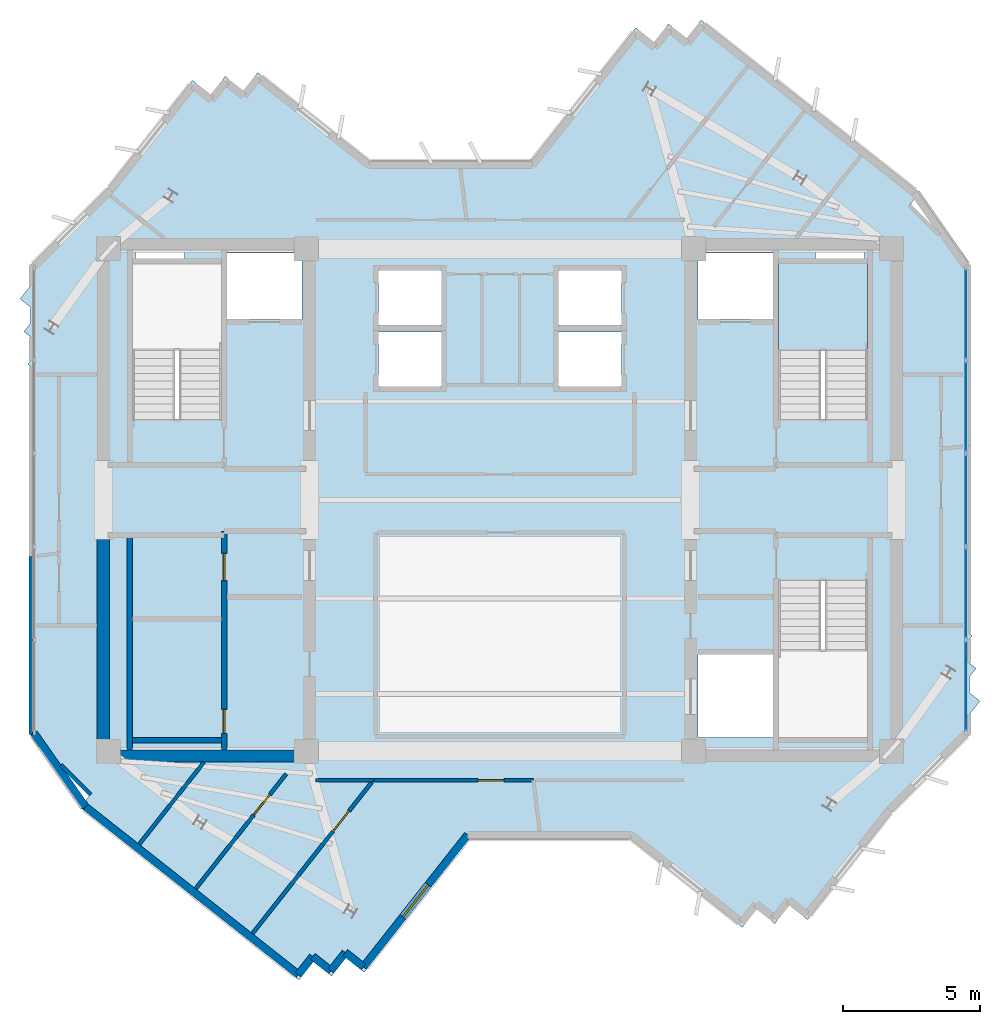
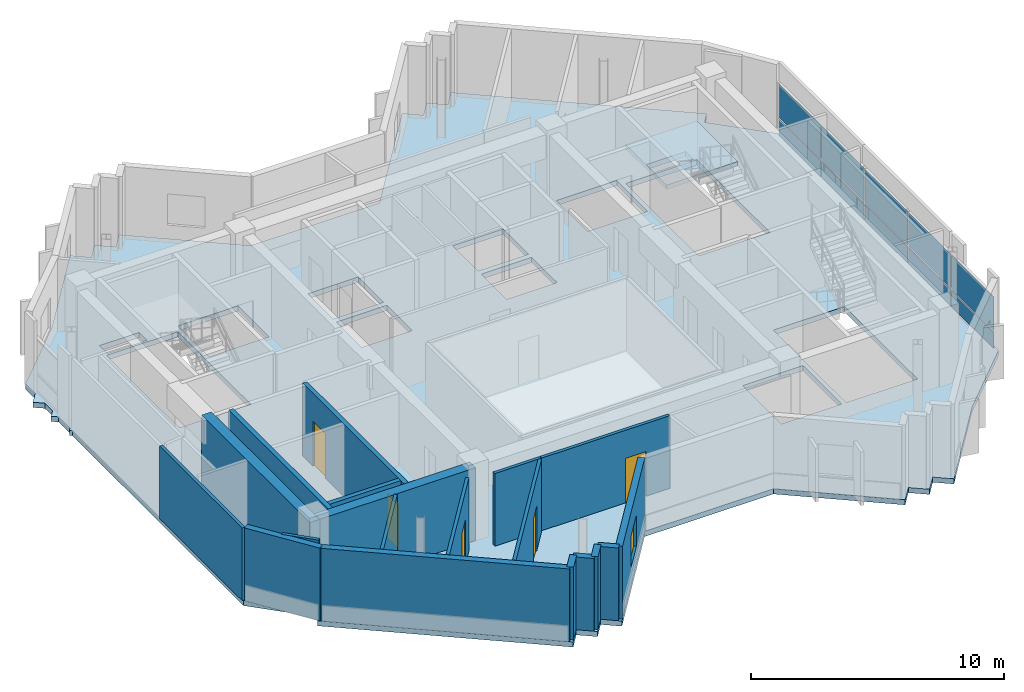
# One storey, part 4 of 10: 19 walls, 10 plates, 5 doors, 2 slabs, 1 window, 6 openings, 2 elements without a shape of their own.
"""IFC4 building model written with IfcOpenShell, lengths in metres."""

import ifcopenshell
import ifcopenshell.guid

model = None  # the IFC model being written
_history = None  # IfcOwnerHistory: only IFC2X3 demands one
_inside = {}  # id of a spatial element -> (the spatial element, [elements in it])
_under = {}  # id of a project, library or spatial element -> (it, [spatial elements below it])
_declared = {}  # id of a project -> (the project, [libraries it declares])
_typed = {}  # id of a type object -> (the type object, [elements of that type])
_made_of = {}  # id of a material, layer set ... -> (it, [elements and type objects made of it])


def new_model(schema):
    """Start an empty IFC model of exactly this schema.

    Asked for "IFC4X3", IfcOpenShell would pick the latest addendum, in which some entities
    have other attributes; the version numbers below select the first issue.
    IFC2X3 requires an IfcOwnerHistory on every rooted entity: one is made here for all.
    """
    global model, _history
    if schema == "IFC4X3":
        model = ifcopenshell.file(schema_version=(4, 3, 0, 0))
    else:
        model = ifcopenshell.file(schema=schema)
    _inside.clear()
    _under.clear()
    _declared.clear()
    _typed.clear()
    _made_of.clear()
    _history = None
    if model.schema == "IFC2X3":
        org = make("IfcOrganization", Name="unknown")
        user = make(
            "IfcPersonAndOrganization",
            ThePerson=make("IfcPerson", FamilyName="unknown"),
            TheOrganization=org,
        )
        app = make(
            "IfcApplication",
            ApplicationDeveloper=org,
            Version="unknown",
            ApplicationFullName="unknown",
            ApplicationIdentifier="unknown",
        )
        _history = make(
            "IfcOwnerHistory",
            OwningUser=user,
            OwningApplication=app,
            ChangeAction="ADDED",
            CreationDate=0,
        )
    return model


def make(cls, **values):
    """One entity of the class cls with the attributes given. An attribute that is None is left unset."""
    return model.create_entity(
        cls, **{name: value for name, value in values.items() if value is not None}
    )


def rooted(cls, **values):
    """An entity with a GlobalId (a new one), such as an element, a storey or a relation."""
    return make(cls, GlobalId=ifcopenshell.guid.new(), OwnerHistory=_history, **values)


def si_unit(unit_type, name, prefix=None):
    """IfcSIUnit, for example si_unit("LENGTHUNIT", "METRE", prefix="MILLI")."""
    return make("IfcSIUnit", UnitType=unit_type, Prefix=prefix, Name=name)


def assignment(units):
    """IfcUnitAssignment: the units of a project."""
    return None if units is None else make("IfcUnitAssignment", Units=units)


def point(xyz):
    """IfcCartesianPoint."""
    return None if xyz is None else make("IfcCartesianPoint", Coordinates=xyz)


def direction(xyz):
    """IfcDirection."""
    return None if xyz is None else make("IfcDirection", DirectionRatios=xyz)


def frame(location, z_axis=None, x_axis=None):
    """IfcAxis2Placement3D, a coordinate frame: its origin and axes. An axis left out is left unset."""
    return make(
        "IfcAxis2Placement3D",
        Location=point(location),
        Axis=direction(z_axis),
        RefDirection=direction(x_axis),
    )


def frame_2d(location, x_axis=None):
    """IfcAxis2Placement2D, a coordinate frame in the plane: its origin and x axis."""
    return make(
        "IfcAxis2Placement2D", Location=point(location), RefDirection=direction(x_axis)
    )


def origin():
    """The frame at (0, 0, 0) with its axes left unset."""
    return frame((0.0, 0.0, 0.0))


def origin_2d():
    """The frame at (0, 0) in the plane with its x axis left unset."""
    return frame_2d((0.0, 0.0))


def place(relative_to, where):
    """IfcLocalPlacement: puts the frame where relative to a parent placement (None: the world)."""
    return make(
        "IfcLocalPlacement", PlacementRelTo=relative_to, RelativePlacement=where
    )


def context(
    kind, dimensions, precision=None, world=None, true_north=None, identifier=None
):
    """IfcGeometricRepresentationContext, for example the 3D "Model" context."""
    return make(
        "IfcGeometricRepresentationContext",
        ContextIdentifier=identifier,
        ContextType=kind,
        CoordinateSpaceDimension=dimensions,
        Precision=precision,
        WorldCoordinateSystem=world,
        TrueNorth=true_north,
    )


def subcontext(parent, identifier, kind, view, scale=None):
    """IfcGeometricRepresentationSubContext, for example "Body" below "Model"."""
    return make(
        "IfcGeometricRepresentationSubContext",
        ContextIdentifier=identifier,
        ContextType=kind,
        ParentContext=parent,
        TargetScale=scale,
        TargetView=view,
    )


def project(units=None, contexts=None):
    """IfcProject with its units and contexts."""
    return rooted(
        "IfcProject",
        Name="project",
        RepresentationContexts=contexts,
        UnitsInContext=assignment(units),
    )


def spatial(cls, under=None, at=None, **own):
    """A site, building, storey or space (cls), placed at a placement, below another one or the project."""
    s = rooted(cls, ObjectPlacement=at, **own)
    if under is not None:
        _under.setdefault(under.id(), (under, []))[1].append(s)
    return s


def polyline(points):
    """IfcPolyline through the points."""
    return make("IfcPolyline", Points=[point(p) for p in points])


def profile(cls, at=None, kind="AREA", **sizes):
    """A parametric profile (cls). Its sizes go by their IFC names, for example OverallWidth=200.0."""
    return make(cls, ProfileType=kind, Position=at, **sizes)


def rectangle(**sizes):
    """IfcRectangleProfileDef."""
    return profile("IfcRectangleProfileDef", **sizes)


def outline(outer, holes=None, kind="AREA"):
    """IfcArbitraryClosedProfileDef: a profile drawn as a closed curve; with holes, ...WithVoids."""
    if holes is None:
        return make("IfcArbitraryClosedProfileDef", ProfileType=kind, OuterCurve=outer)
    return make(
        "IfcArbitraryProfileDefWithVoids",
        ProfileType=kind,
        OuterCurve=outer,
        InnerCurves=holes,
    )


def extrude(swept, where, along, depth):
    """IfcExtrudedAreaSolid: the profile swept, set in the frame where, extruded along a direction by depth."""
    return make(
        "IfcExtrudedAreaSolid",
        SweptArea=swept,
        Position=where,
        ExtrudedDirection=direction(along),
        Depth=depth,
    )


def shape(context_of_items, identifier, shape_type, items):
    """IfcShapeRepresentation: the items that make up one representation, for example the "Body"."""
    return make(
        "IfcShapeRepresentation",
        ContextOfItems=context_of_items,
        RepresentationIdentifier=identifier,
        RepresentationType=shape_type,
        Items=items,
    )


def source(mapping_origin, context_of_items, identifier, shape_type, items):
    """IfcRepresentationMap: a shape defined once, which mapped items show again and again."""
    return make(
        "IfcRepresentationMap",
        MappingOrigin=mapping_origin,
        MappedRepresentation=shape(context_of_items, identifier, shape_type, items),
    )


def transform(
    local_origin,
    x_axis=None,
    y_axis=None,
    z_axis=None,
    scale=None,
    scale2=None,
    scale3=None,
    uniform=True,
):
    """IfcCartesianTransformationOperator3D, or its non-uniform kind. x_axis, y_axis, z_axis: its Axis1, 2, 3."""
    if uniform:
        return make(
            "IfcCartesianTransformationOperator3D",
            Axis1=direction(x_axis),
            Axis2=direction(y_axis),
            LocalOrigin=point(local_origin),
            Scale=scale,
            Axis3=direction(z_axis),
        )
    return make(
        "IfcCartesianTransformationOperator3DnonUniform",
        Axis1=direction(x_axis),
        Axis2=direction(y_axis),
        LocalOrigin=point(local_origin),
        Scale=scale,
        Axis3=direction(z_axis),
        Scale2=scale2,
        Scale3=scale3,
    )


def mapped(mapping_source, mapping_target):
    """IfcMappedItem: shows the shape of a source again, moved by a transform."""
    return make(
        "IfcMappedItem", MappingSource=mapping_source, MappingTarget=mapping_target
    )


def material(Name=None, Category=None):
    """IfcMaterial."""
    return make("IfcMaterial", Name=Name, Category=Category)


def layer(
    of_material, thickness, ventilated=None, Name=None, Category=None, Priority=None
):
    """IfcMaterialLayer: one layer of a wall or slab, of a material (None: an air gap)."""
    return make(
        "IfcMaterialLayer",
        Material=of_material,
        LayerThickness=thickness,
        IsVentilated=ventilated,
        Name=Name,
        Category=Category,
        Priority=Priority,
    )


def layer_set(layers, Name=None):
    """IfcMaterialLayerSet."""
    return make("IfcMaterialLayerSet", MaterialLayers=layers, LayerSetName=Name)


def made_of(thing, what):
    """Note that an element or type object is made of a material, layer set ...; save() writes the relation."""
    if what is not None:
        _made_of.setdefault(what.id(), (what, []))[1].append(thing)
    return thing


def type_object(cls, material=None, **own):
    """A type object (cls), such as IfcWallType, which elements share."""
    return made_of(rooted(cls, **own), material)


def element(
    cls,
    number,
    at=None,
    inside=None,
    cuts=None,
    type_object=None,
    material=None,
    context=None,
    identifier="Body",
    shape_type=None,
    held_by="IfcProductDefinitionShape",
    body=None,
    shapes=None,
    **own,
):
    """One element of the class cls, such as IfcWall. Its Tag is "e" and its number.

    at: its placement. inside: the storey or other place that contains it. cuts: it is an
    opening in that element (IfcRelVoidsElement). A single representation is given by context,
    identifier, shape_type and body (its items); several are given by shapes. held_by: the class
    of the entity that holds the representations. save() writes the other relations.
    """
    e = rooted(cls, Tag="e%d" % number, ObjectPlacement=at, **own)
    if body is not None:
        shapes = [shape(context, identifier, shape_type, body)]
    if shapes is not None:
        e.Representation = make(held_by, Representations=shapes)
    if inside is not None:
        _inside.setdefault(inside.id(), (inside, []))[1].append(e)
    if cuts is not None:
        rooted(
            "IfcRelVoidsElement", RelatingBuildingElement=cuts, RelatedOpeningElement=e
        )
    if type_object is not None:
        _typed.setdefault(type_object.id(), (type_object, []))[1].append(e)
    return made_of(e, material)


def fill(opening, filler):
    """IfcRelFillsElement: the door or window that sits in an opening."""
    return rooted(
        "IfcRelFillsElement",
        RelatingOpeningElement=opening,
        RelatedBuildingElement=filler,
    )


def aggregate(whole, parts):
    """IfcRelAggregates: a whole, such as a stair, and the parts it consists of."""
    return rooted("IfcRelAggregates", RelatingObject=whole, RelatedObjects=parts)


def save(model, path):
    """Write the relations noted so far, then the file.

    IfcRelAggregates (storeys below a building ...), IfcRelContainedInSpatialStructure (elements
    in a storey), IfcRelDefinesByType, IfcRelAssociatesMaterial and IfcRelDeclares: one each for
    every whole, place, type object, material and project.
    """
    for whole, parts in _under.values():
        aggregate(whole, parts)
    for where, things in _inside.values():
        rooted(
            "IfcRelContainedInSpatialStructure",
            RelatedElements=things,
            RelatingStructure=where,
        )
    for kind, things in _typed.values():
        rooted("IfcRelDefinesByType", RelatedObjects=things, RelatingType=kind)
    for what, things in _made_of.values():
        rooted("IfcRelAssociatesMaterial", RelatedObjects=things, RelatingMaterial=what)
    for by, libraries in _declared.values():
        rooted("IfcRelDeclares", RelatingContext=by, RelatedDefinitions=libraries)
    model.write(path)


model = new_model("IFC4")

# Units and contexts
model_context = context("Model", 3, precision=1e-05, world=origin(), true_north=direction((0.0, 1.0)))
body_context = subcontext(model_context, "Body", "Model", "MODEL_VIEW")
ifc_project = project(units=[si_unit("LENGTHUNIT", "METRE"), si_unit("AREAUNIT", "SQUARE_METRE"), si_unit("VOLUMEUNIT", "CUBIC_METRE"), si_unit("PLANEANGLEUNIT", "RADIAN"), si_unit("MASSUNIT", "GRAM", prefix="KILO")], contexts=[model_context])

# Site, building, storey
site_placement = place(None, origin())
site = spatial("IfcSite", under=ifc_project, at=site_placement, CompositionType="ELEMENT")
building_placement = place(site_placement, origin())
building = spatial("IfcBuilding", under=site, at=building_placement, Name="Zahravan Cultural Tower", CompositionType="ELEMENT")
storey_placement = place(building_placement, frame((0.0, 0.0, 327.300048828125)))
storey = spatial("IfcBuildingStorey", under=building, at=storey_placement, Name="L79", CompositionType="ELEMENT", Elevation=327.300048828125)

# Stair, slab
ifc_material_1 = material(Name="Concrete C45/55", Category="concrete")
stair_type = type_object("IfcStairType", Name="STR-DL-1550-375", PredefinedType="HALF_TURN_STAIR", material=ifc_material_1)
stair_placement = place(storey_placement, origin())
stair = element("IfcStair", 1, at=stair_placement, inside=storey, type_object=stair_type, Name="L79 East Core North Exit Stair ST-E1", PredefinedType="HALF_TURN_STAIR")
ifc_layer_1 = layer(ifc_material_1, 0.199951171875)
ifc_layer_set_1 = layer_set([ifc_layer_1], Name="Concrete C45/55")
slab_type_1 = type_object("IfcSlabType", Name="SL-STAIR-LND200", PredefinedType="LANDING", material=ifc_layer_set_1)
slab_1_placement = place(storey_placement, frame((0.0, 0.0, 1.675048828125)))
slab_1 = element("IfcSlab", 2, at=slab_1_placement, type_object=slab_type_1, Name="ST-E1 landing 1", PredefinedType="LANDING", context=body_context, shape_type="SweptSolid", body=[
    extrude(outline(polyline([(49.449951171875, 32.469970703125), (49.449951171875, 35.699951171875), (46.199951171875, 35.699951171875), (46.199951171875, 32.469970703125), (49.449951171875, 32.469970703125)])), origin(), (0.0, 0.0, 1.0), 0.199951171875),
])
aggregate(stair, [slab_1])

# Slab
ifc_material_2 = material(Name="Concrete C40/50", Category="concrete")
ifc_layer_2 = layer(ifc_material_2, 0.25)
ifc_layer_set_2 = layer_set([ifc_layer_2], Name="Concrete C40/50")
slab_type_2 = type_object("IfcSlabType", Name="SL-TYP-250", PredefinedType="FLOOR", material=ifc_layer_set_2)
slab_2_placement = place(storey_placement, frame((0.0, 0.0, -0.25)))
element("IfcSlab", 3, at=slab_2_placement, inside=storey, type_object=slab_type_2, Name="L79 Structural Floor Slab", PredefinedType="FLOOR", context=body_context, shape_type="SweptSolid", body=[
    extrude(outline(polyline([(37.116455078125, 39.39990234375), (31.25439453125, 39.39990234375), (27.12646484375, 42.654296875), (26.60009765625, 41.98681640625), (25.9326171875, 42.512939453125), (25.406494140625, 41.845458984375), (24.739013671875, 42.37158203125), (21.6376953125, 38.437744140625), (18.800048828125, 35.60009765625), (18.800048828125, 34.838134765625), (18.42431640625, 34.361328125), (18.800048828125, 34.065185546875), (18.800048828125, 33.465087890625), (18.5654296875, 33.167724609375), (18.800048828125, 32.98291015625), (18.800048828125, 32.09228515625), (18.706787109375, 31.97412109375), (18.800048828125, 31.900390625), (18.800048828125, 18.39990234375), (20.995361328125, 16.20458984375), (20.62841796875, 15.739013671875), (28.638671875, 9.42431640625), (29.164794921875, 10.091796875), (29.832275390625, 9.5654296875), (30.3583984375, 10.23291015625), (31.02587890625, 9.706787109375), (34.883544921875, 14.60009765625), (40.74560546875, 14.60009765625), (44.87353515625, 11.345703125), (45.39990234375, 12.01318359375), (46.0673828125, 11.487060546875), (46.593505859375, 12.154541015625), (47.260986328125, 11.62841796875), (50.3623046875, 15.562255859375), (53.199951171875, 18.39990234375), (53.199951171875, 19.161865234375), (53.57568359375, 19.638671875), (53.199951171875, 19.934814453125), (53.199951171875, 20.534912109375), (53.4345703125, 20.832275390625), (53.199951171875, 21.01708984375), (53.199951171875, 21.90771484375), (53.293212890625, 22.02587890625), (53.199951171875, 22.099609375), (53.199951171875, 35.60009765625), (51.004638671875, 37.79541015625), (51.37158203125, 38.260986328125), (43.361328125, 44.57568359375), (42.835205078125, 43.908203125), (42.167724609375, 44.4345703125), (41.6416015625, 43.76708984375), (40.97412109375, 44.293212890625), (37.116455078125, 39.39990234375)]), holes=[polyline([(22.550048828125, 29.949951171875), (22.550048828125, 35.699951171875), (25.800048828125, 35.699951171875), (25.800048828125, 29.949951171875), (22.550048828125, 29.949951171875)]), polyline([(46.199951171875, 29.949951171875), (46.199951171875, 35.699951171875), (49.449951171875, 35.699951171875), (49.449951171875, 29.949951171875), (46.199951171875, 29.949951171875)]), polyline([(46.199951171875, 18.300048828125), (46.199951171875, 24.050048828125), (49.449951171875, 24.050048828125), (49.449951171875, 18.300048828125), (46.199951171875, 18.300048828125)]), polyline([(26.0, 33.60009765625), (26.0, 36.050048828125), (28.75, 36.050048828125), (28.75, 33.60009765625), (26.0, 33.60009765625)]), polyline([(43.25, 33.60009765625), (43.25, 36.050048828125), (46.0, 36.050048828125), (46.0, 33.60009765625), (43.25, 33.60009765625)]), polyline([(43.25, 18.300048828125), (43.25, 21.35009765625), (46.0, 21.35009765625), (46.0, 18.300048828125), (43.25, 18.300048828125)]), polyline([(31.550048828125, 33.39990234375), (31.550048828125, 35.39990234375), (33.85009765625, 35.39990234375), (33.85009765625, 33.39990234375), (31.550048828125, 33.39990234375)]), polyline([(31.550048828125, 31.14990234375), (31.550048828125, 33.14990234375), (33.85009765625, 33.14990234375), (33.85009765625, 31.14990234375), (31.550048828125, 31.14990234375)]), polyline([(38.14990234375, 33.39990234375), (38.14990234375, 35.39990234375), (40.449951171875, 35.39990234375), (40.449951171875, 33.39990234375), (38.14990234375, 33.39990234375)]), polyline([(38.14990234375, 31.14990234375), (38.14990234375, 33.14990234375), (40.449951171875, 33.14990234375), (40.449951171875, 31.14990234375), (38.14990234375, 31.14990234375)]), polyline([(22.64990234375, 35.800048828125), (22.64990234375, 36.419921875), (24.449951171875, 36.419921875), (24.449951171875, 35.800048828125), (22.64990234375, 35.800048828125)]), polyline([(47.550048828125, 35.800048828125), (47.550048828125, 36.419921875), (49.35009765625, 36.419921875), (49.35009765625, 35.800048828125), (47.550048828125, 35.800048828125)])]), origin(), (0.0, 0.0, 1.0), 0.25),
])

# Curtain wall, plates
ifc_material_3 = material(Name="Anodised bronze-aluminium mullion", Category="aluminium")
ifc_layer_3 = layer(ifc_material_3, 0.199951171875)
ifc_layer_set_3 = layer_set([ifc_layer_3], Name="Anodised bronze-aluminium mullion")
curtain_wall_type = type_object("IfcCurtainWallType", Name="CW-SYS-2", PredefinedType="USERDEFINED", material=ifc_layer_set_3)
curtain_wall_placement = place(storey_placement, origin())
curtain_wall = element("IfcCurtainWall", 4, at=curtain_wall_placement, inside=storey, type_object=curtain_wall_type, Name="L79 Recessed Curtain Wall CW-2.1", ObjectType="RECESSED GLAZING", PredefinedType="USERDEFINED")
ifc_material_4 = material(Name="Low-E solar-control double glazing", Category="glass")
ifc_layer_4 = layer(ifc_material_4, 0.030029296875)
ifc_layer_set_4 = layer_set([ifc_layer_4], Name="Low-E solar-control double glazing")
plate_type = type_object("IfcPlateType", Name="CWP-CW-2", PredefinedType="CURTAIN_PANEL", material=ifc_layer_set_4)
shared_shape_1 = source(origin(), body_context, "Body", "SweptSolid", [
    extrude(rectangle(XDim=3.30419921875, YDim=0.030029296875, at=origin_2d()), origin(), (0.0, 0.0, 1.0), 0.78759765625),
])
plate_1_placement = place(storey_placement, frame((53.06005859375, 33.81494140625, 0.074951171875), z_axis=(0.0, 0.0, 1.0), x_axis=(0.0, -1.0, 0.0)))
plate_1 = element("IfcPlate", 5, at=plate_1_placement, type_object=plate_type, Name="CW-2 panel 1.1", PredefinedType="CURTAIN_PANEL", context=body_context, shape_type="MappedRepresentation", body=[
    mapped(shared_shape_1, transform((0.0, 0.0, 0.0), x_axis=(1.0, 0.0, 0.0), y_axis=(0.0, 1.0, 0.0), z_axis=(0.0, 0.0, 1.0), scale=1.0)),
])
plate_2_placement = place(storey_placement, frame((53.06005859375, 20.18505859375, 0.074951171875), z_axis=(0.0, 0.0, 1.0), x_axis=(0.0, -1.0, 0.0)))
plate_2 = element("IfcPlate", 6, at=plate_2_placement, type_object=plate_type, Name="CW-2 panel 5.1", PredefinedType="CURTAIN_PANEL", context=body_context, shape_type="MappedRepresentation", body=[
    mapped(shared_shape_1, transform((0.0, 0.0, 0.0), x_axis=(1.0, 0.0, 0.0), y_axis=(0.0, 1.0, 0.0), z_axis=(0.0, 0.0, 1.0), scale=1.0)),
])
shared_shape_2 = source(origin(), body_context, "Body", "SweptSolid", [
    extrude(rectangle(XDim=3.30419921875, YDim=0.030029296875, at=origin_2d()), origin(), (0.0, 0.0, 1.0), 1.607421875),
])
plate_3_placement = place(storey_placement, frame((53.06005859375, 33.81494140625, 0.9375), z_axis=(0.0, 0.0, 1.0), x_axis=(0.0, -1.0, 0.0)))
plate_3 = element("IfcPlate", 7, at=plate_3_placement, type_object=plate_type, Name="CW-2 panel 1.2", PredefinedType="CURTAIN_PANEL", context=body_context, shape_type="MappedRepresentation", body=[
    mapped(shared_shape_2, transform((0.0, 0.0, 0.0), x_axis=(1.0, 0.0, 0.0), y_axis=(0.0, 1.0, 0.0), z_axis=(0.0, 0.0, 1.0), scale=1.0)),
])
plate_4_placement = place(storey_placement, frame((53.06005859375, 20.18505859375, 0.9375), z_axis=(0.0, 0.0, 1.0), x_axis=(0.0, -1.0, 0.0)))
plate_4 = element("IfcPlate", 8, at=plate_4_placement, type_object=plate_type, Name="CW-2 panel 5.2", PredefinedType="CURTAIN_PANEL", context=body_context, shape_type="MappedRepresentation", body=[
    mapped(shared_shape_2, transform((0.0, 0.0, 0.0), x_axis=(1.0, 0.0, 0.0), y_axis=(0.0, 1.0, 0.0), z_axis=(0.0, 0.0, 1.0), scale=1.0)),
])
shared_shape_3 = source(origin(), body_context, "Body", "SweptSolid", [
    extrude(rectangle(XDim=3.341796875, YDim=0.030029296875, at=origin_2d()), origin(), (0.0, 0.0, 1.0), 0.78759765625),
])
plate_5_placement = place(storey_placement, frame((53.06005859375, 30.416748046875, 0.074951171875), z_axis=(0.0, 0.0, 1.0), x_axis=(0.0, -1.0, 0.0)))
plate_5 = element("IfcPlate", 9, at=plate_5_placement, type_object=plate_type, Name="CW-2 panel 2.1", PredefinedType="CURTAIN_PANEL", context=body_context, shape_type="MappedRepresentation", body=[
    mapped(shared_shape_3, transform((0.0, 0.0, 0.0), x_axis=(1.0, 0.0, 0.0), y_axis=(0.0, 1.0, 0.0), z_axis=(0.0, 0.0, 1.0), scale=1.0)),
])
plate_6_placement = place(storey_placement, frame((53.06005859375, 27.0, 0.074951171875), z_axis=(0.0, 0.0, 1.0), x_axis=(0.0, -1.0, 0.0)))
plate_6 = element("IfcPlate", 10, at=plate_6_placement, type_object=plate_type, Name="CW-2 panel 3.1", PredefinedType="CURTAIN_PANEL", context=body_context, shape_type="MappedRepresentation", body=[
    mapped(shared_shape_3, transform((0.0, 0.0, 0.0), x_axis=(1.0, 0.0, 0.0), y_axis=(0.0, 1.0, 0.0), z_axis=(0.0, 0.0, 1.0), scale=1.0)),
])
plate_7_placement = place(storey_placement, frame((53.06005859375, 23.583251953125, 0.074951171875), z_axis=(0.0, 0.0, 1.0), x_axis=(0.0, -1.0, 0.0)))
plate_7 = element("IfcPlate", 11, at=plate_7_placement, type_object=plate_type, Name="CW-2 panel 4.1", PredefinedType="CURTAIN_PANEL", context=body_context, shape_type="MappedRepresentation", body=[
    mapped(shared_shape_3, transform((0.0, 0.0, 0.0), x_axis=(1.0, 0.0, 0.0), y_axis=(0.0, 1.0, 0.0), z_axis=(0.0, 0.0, 1.0), scale=1.0)),
])
shared_shape_4 = source(origin(), body_context, "Body", "SweptSolid", [
    extrude(rectangle(XDim=3.341796875, YDim=0.030029296875, at=origin_2d()), origin(), (0.0, 0.0, 1.0), 1.607421875),
])
plate_8_placement = place(storey_placement, frame((53.06005859375, 30.416748046875, 0.9375), z_axis=(0.0, 0.0, 1.0), x_axis=(0.0, -1.0, 0.0)))
plate_8 = element("IfcPlate", 12, at=plate_8_placement, type_object=plate_type, Name="CW-2 panel 2.2", PredefinedType="CURTAIN_PANEL", context=body_context, shape_type="MappedRepresentation", body=[
    mapped(shared_shape_4, transform((0.0, 0.0, 0.0), x_axis=(1.0, 0.0, 0.0), y_axis=(0.0, 1.0, 0.0), z_axis=(0.0, 0.0, 1.0), scale=1.0)),
])
plate_9_placement = place(storey_placement, frame((53.06005859375, 27.0, 0.9375), z_axis=(0.0, 0.0, 1.0), x_axis=(0.0, -1.0, 0.0)))
plate_9 = element("IfcPlate", 13, at=plate_9_placement, type_object=plate_type, Name="CW-2 panel 3.2", PredefinedType="CURTAIN_PANEL", context=body_context, shape_type="MappedRepresentation", body=[
    mapped(shared_shape_4, transform((0.0, 0.0, 0.0), x_axis=(1.0, 0.0, 0.0), y_axis=(0.0, 1.0, 0.0), z_axis=(0.0, 0.0, 1.0), scale=1.0)),
])
plate_10_placement = place(storey_placement, frame((53.06005859375, 23.583251953125, 0.9375), z_axis=(0.0, 0.0, 1.0), x_axis=(0.0, -1.0, 0.0)))
plate_10 = element("IfcPlate", 14, at=plate_10_placement, type_object=plate_type, Name="CW-2 panel 4.2", PredefinedType="CURTAIN_PANEL", context=body_context, shape_type="MappedRepresentation", body=[
    mapped(shared_shape_4, transform((0.0, 0.0, 0.0), x_axis=(1.0, 0.0, 0.0), y_axis=(0.0, 1.0, 0.0), z_axis=(0.0, 0.0, 1.0), scale=1.0)),
])
aggregate(curtain_wall, [plate_1, plate_3, plate_5, plate_8, plate_6, plate_9, plate_7, plate_10, plate_2, plate_4])

# Wall, opening, window
ifc_material_5 = material(Name="Precast concrete C40/50", Category="concrete")
ifc_layer_5 = layer(ifc_material_5, 0.280029296875)
ifc_layer_set_5 = layer_set([ifc_layer_5], Name="Precast concrete C40/50")
wall_type_1 = type_object("IfcWallType", Name="EW-TC-280", PredefinedType="SOLIDWALL", material=ifc_layer_set_5)
wall_1_placement = place(storey_placement, frame((34.815673828125, 14.739990234375, 0.0), z_axis=(0.0, 0.0, 1.0), x_axis=(-0.619100474058, -0.78531178714, 0.0)))
wall_1 = element("IfcWall", 15, at=wall_1_placement, inside=storey, type_object=wall_type_1, Name="L79 Exterior Masonry Frame Wall 24", PredefinedType="SOLIDWALL", context=body_context, shape_type="SweptSolid", body=[
    extrude(rectangle(XDim=6.158935546875, YDim=0.280029296875, at=frame_2d((3.07958984375, 0.0))), origin(), (0.0, 0.0, 1.0), 3.5),
])
opening_1_placement = place(wall_1_placement, frame((2.3291015625, 0.0, 0.85009765625)))
opening_1 = element("IfcOpeningElement", 16, at=opening_1_placement, cuts=wall_1, Name="Opening WN-03", PredefinedType="OPENING", context=body_context, shape_type="SweptSolid", body=[
    extrude(rectangle(XDim=1.5, YDim=1.5, at=frame_2d((0.75, 0.75))), frame((0.0, 0.14990234375, 0.0), z_axis=(0.0, -1.0, 0.0), x_axis=(1.0, 0.0, 0.0)), (0.0, 0.0, 1.0), 0.300048828125),
])
window_type = type_object("IfcWindowType", Name="WN-REC-1500X1500", PartitioningType="SINGLE_PANEL", PredefinedType="WINDOW", material=ifc_material_4)
shared_shape_5 = source(origin(), body_context, "Body", "SweptSolid", [
    extrude(rectangle(XDim=1.5, YDim=1.5, at=frame_2d((0.75, 0.75))), frame((0.0, 0.030029296875, 0.0), z_axis=(0.0, -1.0, 0.0), x_axis=(1.0, 0.0, 0.0)), (0.0, 0.0, 1.0), 0.06005859375),
])
window_placement = place(opening_1_placement, origin())
window = element("IfcWindow", 17, at=window_placement, inside=storey, type_object=window_type, Name="L79 Recessed Solar Window 08", OverallHeight=1.5, OverallWidth=1.5, PartitioningType="SINGLE_PANEL", PredefinedType="WINDOW", context=body_context, shape_type="MappedRepresentation", body=[
    mapped(shared_shape_5, transform((0.0, 0.0, 0.0), x_axis=(1.0, 0.0, 0.0), y_axis=(0.0, 1.0, 0.0), z_axis=(0.0, 0.0, 1.0), scale=1.0)),
])
fill(opening_1, window)

# Wall, opening, door
ifc_material_6 = material(Name="Gypsum plasterboard partition")
ifc_layer_6 = layer(ifc_material_6, 0.139892578125)
ifc_layer_set_6 = layer_set([ifc_layer_6], Name="Gypsum plasterboard partition")
wall_type_2 = type_object("IfcWallType", Name="W-PART-140", PredefinedType="PARTITIONING", material=ifc_layer_set_6)
wall_2_placement = place(storey_placement, frame((28.17724609375, 16.97998046875, 0.0), z_axis=(0.0, 0.0, 1.0), x_axis=(-0.619105408422, -0.785307897109, 0.0)))
wall_2 = element("IfcWall", 18, at=wall_2_placement, inside=storey, type_object=wall_type_2, Name="L79 Interior Wall 052", PredefinedType="PARTITIONING", context=body_context, shape_type="SweptSolid", body=[
    extrude(rectangle(XDim=5.363037109375, YDim=0.139892578125, at=frame_2d((2.681640625, 0.0))), origin(), (0.0, 0.0, 1.0), 3.5),
])
opening_2_placement = place(wall_2_placement, frame((0.970947265625, 0.0, 0.0)))
opening_2 = element("IfcOpeningElement", 19, at=opening_2_placement, cuts=wall_2, Name="Opening D-L79-27", PredefinedType="OPENING", context=body_context, shape_type="SweptSolid", body=[
    extrude(rectangle(XDim=0.949951171875, YDim=2.14990234375, at=frame_2d((0.47509765625, 1.074951171875))), frame((0.0, 0.079833984375, 0.0), z_axis=(0.0, -1.0, 0.0), x_axis=(1.0, 0.0, 0.0)), (0.0, 0.0, 1.0), 0.159912109375),
])
door_type_1 = type_object("IfcDoorType", Name="DR-ROOM-950", OperationType="NOTDEFINED", PredefinedType="DOOR", material=ifc_material_3)
shared_shape_6 = source(origin(), body_context, "Body", "SweptSolid", [
    extrude(rectangle(XDim=0.949951171875, YDim=2.14990234375, at=frame_2d((0.47509765625, 1.074951171875))), frame((0.0, 0.02490234375, 0.0), z_axis=(0.0, -1.0, 0.0), x_axis=(1.0, 0.0, 0.0)), (0.0, 0.0, 1.0), 0.050048828125),
])
door_1_placement = place(opening_2_placement, origin())
door_1 = element("IfcDoor", 20, at=door_1_placement, inside=storey, type_object=door_type_1, Name="L79 Door D-L79-27", OperationType="SINGLE_SWING_LEFT", OverallHeight=2.14990234375, OverallWidth=0.949951171875, PredefinedType="DOOR", context=body_context, shape_type="MappedRepresentation", body=[
    mapped(shared_shape_6, transform((0.0, 0.0, 0.0), x_axis=(1.0, 0.0, 0.0), y_axis=(0.0, 1.0, 0.0), z_axis=(0.0, 0.0, 1.0), scale=1.0)),
])
fill(opening_2, door_1)

wall_3_placement = place(storey_placement, frame((31.30322265625, 16.664794921875, 0.0), z_axis=(0.0, 0.0, 1.0), x_axis=(-0.619105259882, -0.785308014213, 0.0)))
wall_3 = element("IfcWall", 21, at=wall_3_placement, inside=storey, type_object=wall_type_2, Name="L79 Interior Wall 056", PredefinedType="PARTITIONING", context=body_context, shape_type="SweptSolid", body=[
    extrude(rectangle(XDim=7.05078125, YDim=0.139892578125, at=frame_2d((3.525390625, 0.0))), origin(), (0.0, 0.0, 1.0), 3.5),
])
opening_3_placement = place(wall_3_placement, frame((1.34228515625, 0.0, 0.0)))
opening_3 = element("IfcOpeningElement", 22, at=opening_3_placement, cuts=wall_3, Name="Opening D-L79-25", PredefinedType="OPENING", context=body_context, shape_type="SweptSolid", body=[
    extrude(rectangle(XDim=0.949951171875, YDim=2.14990234375, at=frame_2d((0.47509765625, 1.074951171875))), frame((0.0, 0.079833984375, 0.0), z_axis=(0.0, -1.0, 0.0), x_axis=(1.0, 0.0, 0.0)), (0.0, 0.0, 1.0), 0.159912109375),
])
door_2_placement = place(opening_3_placement, origin())
door_2 = element("IfcDoor", 23, at=door_2_placement, inside=storey, type_object=door_type_1, Name="L79 Door D-L79-25", OperationType="SINGLE_SWING_LEFT", OverallHeight=2.14990234375, OverallWidth=0.949951171875, PredefinedType="DOOR", context=body_context, shape_type="MappedRepresentation", body=[
    mapped(shared_shape_6, transform((0.0, 0.0, 0.0), x_axis=(1.0, 0.0, 0.0), y_axis=(0.0, 1.0, 0.0), z_axis=(0.0, 0.0, 1.0), scale=1.0)),
])
fill(opening_3, door_2)

wall_4_placement = place(storey_placement, frame((31.387939453125, 16.739990234375, 0.0), z_axis=(0.0, 0.0, 1.0), x_axis=(1.0, 0.0, 0.0)))
wall_4 = element("IfcWall", 24, at=wall_4_placement, inside=storey, type_object=wall_type_2, Name="L79 Interior Wall 078", PredefinedType="PARTITIONING", context=body_context, shape_type="SweptSolid", body=[
    extrude(rectangle(XDim=5.836669921875, YDim=0.139892578125, at=frame_2d((2.91845703125, 0.0))), origin(), (0.0, 0.0, 1.0), 3.5),
])
opening_4_placement = place(wall_4_placement, frame((3.8115234375, 0.0, 0.0)))
opening_4 = element("IfcOpeningElement", 25, at=opening_4_placement, cuts=wall_4, Name="Opening D-L79-22", PredefinedType="OPENING", context=body_context, shape_type="SweptSolid", body=[
    extrude(rectangle(XDim=0.949951171875, YDim=2.14990234375, at=frame_2d((0.47509765625, 1.074951171875))), frame((0.0, 0.079833984375, 0.0), z_axis=(0.0, -1.0, 0.0), x_axis=(1.0, 0.0, 0.0)), (0.0, 0.0, 1.0), 0.159912109375),
])
door_3_placement = place(opening_4_placement, origin())
door_3 = element("IfcDoor", 26, at=door_3_placement, inside=storey, type_object=door_type_1, Name="L79 Door D-L79-22", OperationType="SINGLE_SWING_RIGHT", OverallHeight=2.14990234375, OverallWidth=0.949951171875, PredefinedType="DOOR", context=body_context, shape_type="MappedRepresentation", body=[
    mapped(shared_shape_6, transform((0.0, 0.0, 0.0), x_axis=(1.0, 0.0, 0.0), y_axis=(0.0, 1.0, 0.0), z_axis=(0.0, 0.0, 1.0), scale=1.0)),
])
fill(opening_4, door_3)

# Wall, openings, doors
ifc_layer_7 = layer(ifc_material_1, 0.199951171875)
ifc_layer_set_7 = layer_set([ifc_layer_7], Name="Concrete C45/55")
wall_type_3 = type_object("IfcWallType", Name="W-SHAFT-200", PredefinedType="SOLIDWALL", material=ifc_layer_set_7)
wall_5_placement = place(storey_placement, frame((25.89990234375, 17.85009765625, 0.0), z_axis=(0.0, 0.0, 1.0), x_axis=(0.0, 1.0, 0.0)))
wall_5 = element("IfcWall", 27, at=wall_5_placement, inside=storey, type_object=wall_type_3, Name="L79 Interior Wall 005", PredefinedType="SOLIDWALL", context=body_context, shape_type="SweptSolid", body=[
    extrude(rectangle(XDim=8.0, YDim=0.199951171875, at=frame_2d((4.0, 0.0))), origin(), (0.0, 0.0, 1.0), 3.5),
])
opening_5_placement = place(wall_5_placement, frame((6.199951171875, 0.0, 0.0)))
opening_5 = element("IfcOpeningElement", 28, at=opening_5_placement, cuts=wall_5, Name="Opening D-L79-04", PredefinedType="OPENING", context=body_context, shape_type="SweptSolid", body=[
    extrude(rectangle(XDim=1.0, YDim=2.14990234375, at=frame_2d((0.5, 1.074951171875))), frame((0.0, 0.10986328125, 0.0), z_axis=(0.0, -1.0, 0.0), x_axis=(1.0, 0.0, 0.0)), (0.0, 0.0, 1.0), 0.219970703125),
])
opening_6_placement = place(wall_5_placement, frame((0.60009765625, 0.0, 0.0)))
opening_6 = element("IfcOpeningElement", 29, at=opening_6_placement, cuts=wall_5, Name="Opening D-L79-05", PredefinedType="OPENING", context=body_context, shape_type="SweptSolid", body=[
    extrude(rectangle(XDim=0.8798828125, YDim=2.10009765625, at=frame_2d((0.43994140625, 1.050048828125))), frame((0.0, 0.10986328125, 0.0), z_axis=(0.0, -1.0, 0.0), x_axis=(1.0, 0.0, 0.0)), (0.0, 0.0, 1.0), 0.219970703125),
])
ifc_material_7 = material(Name="Steel ASTM A572 Grade 50", Category="steel")
door_type_2 = type_object("IfcDoorType", Name="DR-SVC-880", OperationType="NOTDEFINED", PredefinedType="DOOR", material=ifc_material_7)
shared_shape_7 = source(origin(), body_context, "Body", "SweptSolid", [
    extrude(rectangle(XDim=0.8798828125, YDim=2.10009765625, at=frame_2d((0.43994140625, 1.050048828125))), frame((0.0, 0.02490234375, 0.0), z_axis=(0.0, -1.0, 0.0), x_axis=(1.0, 0.0, 0.0)), (0.0, 0.0, 1.0), 0.050048828125),
])
door_4_placement = place(opening_6_placement, origin())
door_4 = element("IfcDoor", 30, at=door_4_placement, inside=storey, type_object=door_type_2, Name="L79 Door D-L79-05", OperationType="SINGLE_SWING_LEFT", OverallHeight=2.10009765625, OverallWidth=0.8798828125, PredefinedType="DOOR", context=body_context, shape_type="MappedRepresentation", body=[
    mapped(shared_shape_7, transform((0.0, 0.0, 0.0), x_axis=(1.0, 0.0, 0.0), y_axis=(0.0, 1.0, 0.0), z_axis=(0.0, 0.0, 1.0), scale=1.0)),
])
fill(opening_6, door_4)
door_type_3 = type_object("IfcDoorType", Name="DR-COMP-1000", OperationType="NOTDEFINED", PredefinedType="DOOR", material=ifc_material_7)
shared_shape_8 = source(origin(), body_context, "Body", "SweptSolid", [
    extrude(rectangle(XDim=1.0, YDim=2.14990234375, at=frame_2d((0.5, 1.074951171875))), frame((0.0, 0.02490234375, 0.0), z_axis=(0.0, -1.0, 0.0), x_axis=(1.0, 0.0, 0.0)), (0.0, 0.0, 1.0), 0.050048828125),
])
door_5_placement = place(opening_5_placement, origin())
door_5 = element("IfcDoor", 31, at=door_5_placement, inside=storey, type_object=door_type_3, Name="L79 Door D-L79-04", OperationType="SINGLE_SWING_RIGHT", OverallHeight=2.14990234375, OverallWidth=1.0, PredefinedType="DOOR", context=body_context, shape_type="MappedRepresentation", body=[
    mapped(shared_shape_8, transform((0.0, 0.0, 0.0), x_axis=(1.0, 0.0, 0.0), y_axis=(0.0, 1.0, 0.0), z_axis=(0.0, 0.0, 1.0), scale=1.0)),
])
fill(opening_5, door_5)

# Walls
ifc_material_8 = material(Name="Concrete C50/60", Category="concrete")
ifc_layer_8 = layer(ifc_material_8, 0.449951171875)
ifc_layer_set_8 = layer_set([ifc_layer_8], Name="Concrete C50/60")
wall_type_4 = type_object("IfcWallType", Name="CW-SHEAR-450-C50", PredefinedType="SHEAR", material=ifc_layer_set_8)
shared_shape_9 = source(origin(), body_context, "Body", "SweptSolid", [
    extrude(rectangle(XDim=8.550048828125, YDim=0.449951171875, at=frame_2d((4.27490234375, 0.0))), origin(), (0.0, 0.0, 1.0), 3.5),
])
wall_6_placement = place(storey_placement, frame((21.47509765625, 17.39990234375, 0.0), z_axis=(0.0, 0.0, 1.0), x_axis=(0.0, 1.0, 0.0)))
element("IfcWall", 32, at=wall_6_placement, inside=storey, type_object=wall_type_4, Name="L79 Core Shear Wall CW-W-WS-L79", PredefinedType="SHEAR", context=body_context, shape_type="MappedRepresentation", body=[
    mapped(shared_shape_9, transform((0.0, 0.0, 0.0), x_axis=(1.0, 0.0, 0.0), y_axis=(0.0, 1.0, 0.0), z_axis=(0.0, 0.0, 1.0), scale=1.0)),
])
shared_shape_10 = source(origin(), body_context, "Body", "SweptSolid", [
    extrude(rectangle(XDim=7.10009765625, YDim=0.449951171875, at=frame_2d((3.550048828125, 0.0))), origin(), (0.0, 0.0, 1.0), 3.5),
])
wall_7_placement = place(storey_placement, frame((21.699951171875, 17.625, 0.0), z_axis=(0.0, 0.0, 1.0), x_axis=(1.0, 0.0, 0.0)))
element("IfcWall", 33, at=wall_7_placement, inside=storey, type_object=wall_type_4, Name="L79 Core Shear Wall CW-W-S-L79", PredefinedType="SHEAR", context=body_context, shape_type="MappedRepresentation", body=[
    mapped(shared_shape_10, transform((0.0, 0.0, 0.0), x_axis=(1.0, 0.0, 0.0), y_axis=(0.0, 1.0, 0.0), z_axis=(0.0, 0.0, 1.0), scale=1.0)),
])
shared_shape_11 = source(origin(), body_context, "Body", "SweptSolid", [
    extrude(rectangle(XDim=0.85009765625, YDim=0.280029296875, at=frame_2d((0.425048828125, 0.0))), origin(), (0.0, 0.0, 1.0), 3.5),
])
for number, where, z_axis, x_axis, name in (
    (34, (31.002685546875, 9.9033203125, 0.0), (0.0, 0.0, 1.0), (-0.785220826193, 0.619215838066, 0.0), "L79 Exterior Masonry Frame Wall 25"),
    (35, (29.1416015625, 10.288330078125, 0.0), (0.0, 0.0, 1.0), (-0.619215838066, -0.785220826193, 0.0), "L79 Exterior Masonry Frame Wall 28"),
):
    element("IfcWall", number, at=place(storey_placement, frame(where, z_axis=z_axis, x_axis=x_axis)), inside=storey, type_object=wall_type_1, Name=name, PredefinedType="SOLIDWALL", context=body_context, shape_type="MappedRepresentation", body=[
        mapped(shared_shape_11, transform((0.0, 0.0, 0.0), x_axis=(1.0, 0.0, 0.0), y_axis=(0.0, 1.0, 0.0), z_axis=(0.0, 0.0, 1.0), scale=1.0)),
    ])
shared_shape_12 = source(origin(), body_context, "Body", "SweptSolid", [
    extrude(rectangle(XDim=0.849853515625, YDim=0.280029296875, at=frame_2d((0.4248046875, 0.0))), origin(), (0.0, 0.0, 1.0), 3.5),
])
for number, where, z_axis, x_axis, name in (
    (36, (30.335205078125, 10.4296875, 0.0), (0.0, 0.0, 1.0), (-0.619038707801, -0.785360476625, 0.0), "L79 Exterior Masonry Frame Wall 26"),
    (37, (29.80908203125, 9.76220703125, 0.0), (0.0, 0.0, 1.0), (-0.785360476625, 0.619038707801, 0.0), "L79 Exterior Masonry Frame Wall 27"),
):
    element("IfcWall", number, at=place(storey_placement, frame(where, z_axis=z_axis, x_axis=x_axis)), inside=storey, type_object=wall_type_1, Name=name, PredefinedType="SOLIDWALL", context=body_context, shape_type="MappedRepresentation", body=[
        mapped(shared_shape_12, transform((0.0, 0.0, 0.0), x_axis=(1.0, 0.0, 0.0), y_axis=(0.0, 1.0, 0.0), z_axis=(0.0, 0.0, 1.0), scale=1.0)),
    ])
shared_shape_13 = source(origin(), body_context, "Body", "SweptSolid", [
    extrude(rectangle(XDim=9.919921875, YDim=0.280029296875, at=frame_2d((4.9599609375, 0.0))), origin(), (0.0, 0.0, 1.0), 3.5),
])
wall_8_placement = place(storey_placement, frame((28.615234375, 9.620849609375, 0.0), z_axis=(0.0, 0.0, 1.0), x_axis=(-0.785317257435, 0.619093535077, 0.0)))
element("IfcWall", 38, at=wall_8_placement, inside=storey, type_object=wall_type_1, Name="L79 Exterior Masonry Frame Wall 29", PredefinedType="SOLIDWALL", context=body_context, shape_type="MappedRepresentation", body=[
    mapped(shared_shape_13, transform((0.0, 0.0, 0.0), x_axis=(1.0, 0.0, 0.0), y_axis=(0.0, 1.0, 0.0), z_axis=(0.0, 0.0, 1.0), scale=1.0)),
])
shared_shape_14 = source(origin(), body_context, "Body", "SweptSolid", [
    extrude(rectangle(XDim=3.28955078125, YDim=0.280029296875, at=frame_2d((1.644775390625, 0.0))), origin(), (0.0, 0.0, 1.0), 3.5),
])
wall_9_placement = place(storey_placement, frame((20.824951171875, 15.76220703125, 0.0), z_axis=(0.0, 0.0, 1.0), x_axis=(-0.573043854491, 0.819524704222, 0.0)))
element("IfcWall", 39, at=wall_9_placement, inside=storey, type_object=wall_type_1, Name="L79 Exterior Masonry Frame Wall 30", PredefinedType="SOLIDWALL", context=body_context, shape_type="MappedRepresentation", body=[
    mapped(shared_shape_14, transform((0.0, 0.0, 0.0), x_axis=(1.0, 0.0, 0.0), y_axis=(0.0, 1.0, 0.0), z_axis=(0.0, 0.0, 1.0), scale=1.0)),
])
shared_shape_15 = source(origin(), body_context, "Body", "SweptSolid", [
    extrude(rectangle(XDim=7.869873046875, YDim=0.199951171875, at=frame_2d((3.93505859375, 0.0))), origin(), (0.0, 0.0, 1.0), 3.5),
])
wall_10_placement = place(storey_placement, frame((22.449951171875, 17.85009765625, 0.0), z_axis=(0.0, 0.0, 1.0), x_axis=(0.0, 1.0, 0.0)))
element("IfcWall", 40, at=wall_10_placement, inside=storey, type_object=wall_type_3, Name="L79 Interior Wall 001", PredefinedType="SOLIDWALL", context=body_context, shape_type="MappedRepresentation", body=[
    mapped(shared_shape_15, transform((0.0, 0.0, 0.0), x_axis=(1.0, 0.0, 0.0), y_axis=(0.0, 1.0, 0.0), z_axis=(0.0, 0.0, 1.0), scale=1.0)),
])
shared_shape_16 = source(origin(), body_context, "Body", "SweptSolid", [
    extrude(rectangle(XDim=3.25, YDim=0.199951171875, at=frame_2d((1.625, 0.0))), origin(), (0.0, 0.0, 1.0), 3.5),
])
wall_11_placement = place(storey_placement, frame((22.550048828125, 18.199951171875, 0.0), z_axis=(0.0, 0.0, 1.0), x_axis=(1.0, 0.0, 0.0)))
element("IfcWall", 41, at=wall_11_placement, inside=storey, type_object=wall_type_3, Name="L79 Interior Wall 019", PredefinedType="SOLIDWALL", context=body_context, shape_type="MappedRepresentation", body=[
    mapped(shared_shape_16, transform((0.0, 0.0, 0.0), x_axis=(1.0, 0.0, 0.0), y_axis=(0.0, 1.0, 0.0), z_axis=(0.0, 0.0, 1.0), scale=1.0)),
])
shared_shape_17 = source(origin(), body_context, "Body", "SweptSolid", [
    extrude(rectangle(XDim=3.818359375, YDim=0.139892578125, at=frame_2d((1.9091796875, 0.0))), origin(), (0.0, 0.0, 1.0), 3.5),
])
wall_12_placement = place(storey_placement, frame((22.79150390625, 14.396484375, 0.0), z_axis=(0.0, 0.0, 1.0), x_axis=(0.619119655452, 0.78529666511, 0.0)))
element("IfcWall", 42, at=wall_12_placement, inside=storey, type_object=wall_type_2, Name="L79 Interior Wall 051", PredefinedType="PARTITIONING", context=body_context, shape_type="MappedRepresentation", body=[
    mapped(shared_shape_17, transform((0.0, 0.0, 0.0), x_axis=(1.0, 0.0, 0.0), y_axis=(0.0, 1.0, 0.0), z_axis=(0.0, 0.0, 1.0), scale=1.0)),
])
shared_shape_18 = source(origin(), body_context, "Body", "SweptSolid", [
    extrude(rectangle(XDim=2.10888671875, YDim=0.139892578125, at=frame_2d((1.054443359375, 0.0))), origin(), (0.0, 0.0, 1.0), 3.5),
])
wall_13_placement = place(storey_placement, frame((29.25341796875, 16.7412109375, 0.0), z_axis=(0.0, 0.0, 1.0), x_axis=(0.999999832474, -0.000578837597, 0.0)))
element("IfcWall", 43, at=wall_13_placement, inside=storey, type_object=wall_type_2, Name="L79 Interior Wall 055", PredefinedType="PARTITIONING", context=body_context, shape_type="MappedRepresentation", body=[
    mapped(shared_shape_18, transform((0.0, 0.0, 0.0), x_axis=(1.0, 0.0, 0.0), y_axis=(0.0, 1.0, 0.0), z_axis=(0.0, 0.0, 1.0), scale=1.0)),
])
shared_shape_19 = source(origin(), body_context, "Body", "SweptSolid", [
    extrude(rectangle(XDim=1.538330078125, YDim=0.139892578125, at=frame_2d((0.76904296875, 0.0))), origin(), (0.0, 0.0, 1.0), 3.5),
])
wall_14_placement = place(storey_placement, frame((21.0087890625, 16.21728515625, 0.0), z_axis=(0.0, 0.0, 1.0), x_axis=(-0.706709909315, 0.707503430434, 0.0)))
element("IfcWall", 44, at=wall_14_placement, inside=storey, type_object=wall_type_2, Name="L79 Interior Wall 066", PredefinedType="PARTITIONING", context=body_context, shape_type="MappedRepresentation", body=[
    mapped(shared_shape_19, transform((0.0, 0.0, 0.0), x_axis=(1.0, 0.0, 0.0), y_axis=(0.0, 1.0, 0.0), z_axis=(0.0, 0.0, 1.0), scale=1.0)),
])
shared_shape_20 = source(origin(), body_context, "Body", "SweptSolid", [
    extrude(rectangle(XDim=6.51513671875, YDim=0.139892578125, at=frame_2d((3.257568359375, 0.0))), origin(), (0.0, 0.0, 1.0), 3.5),
])
wall_15_placement = place(storey_placement, frame((18.820068359375, 18.408203125, 0.0), z_axis=(0.0, 0.0, 1.0), x_axis=(0.0, 1.0, 0.0)))
element("IfcWall", 45, at=wall_15_placement, inside=storey, type_object=wall_type_2, Name="L79 Interior Wall 067", PredefinedType="PARTITIONING", context=body_context, shape_type="MappedRepresentation", body=[
    mapped(shared_shape_20, transform((0.0, 0.0, 0.0), x_axis=(1.0, 0.0, 0.0), y_axis=(0.0, 1.0, 0.0), z_axis=(0.0, 0.0, 1.0), scale=1.0)),
])

save(model, "model.ifc")
